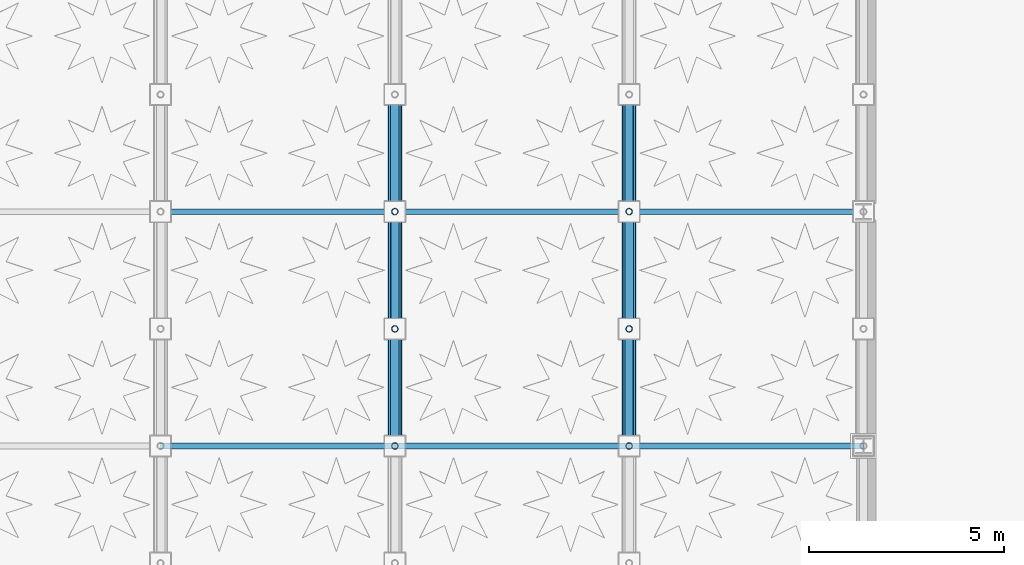
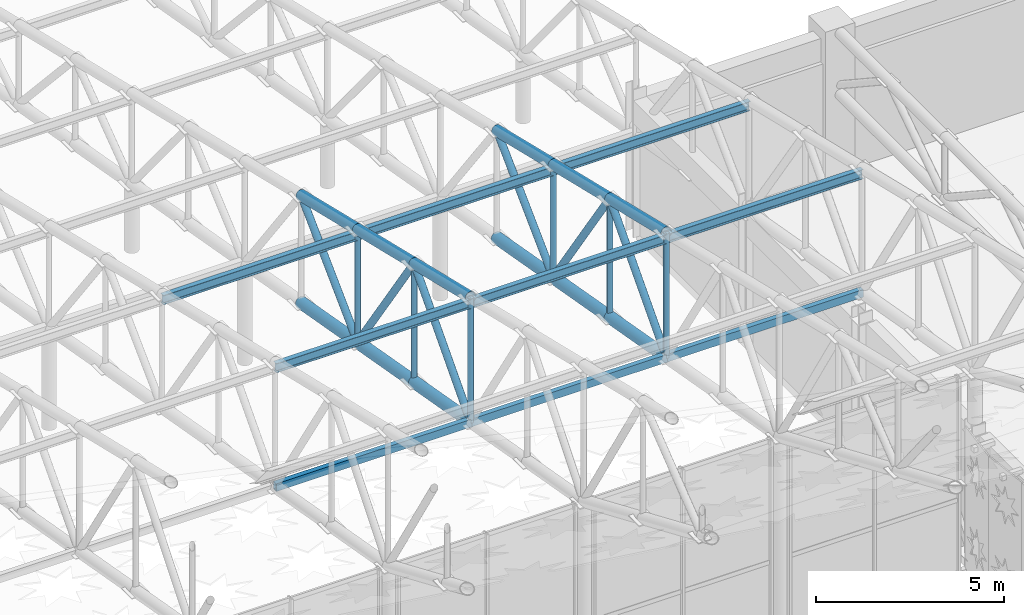
# One storey, part 21 of 123: 27 members, 6 beams.
"""IFC4 building model written with IfcOpenShell, lengths in metres."""

from ifc_helpers import new_model, si_unit, direction, frame, origin, origin_2d, place, context, subcontext, project, spatial, hollow_rectangle, hollow_circle, i_section, extrude, material, material_profile, profile_set, type_object, element, save


model = new_model("IFC4")

# Units and contexts
model_context = context("Model", 3, precision=1e-05, world=origin(), true_north=direction((0.0, 1.0)))
body_context = subcontext(model_context, "Body", "Model", "MODEL_VIEW")
ifc_project = project(units=[si_unit("LENGTHUNIT", "METRE"), si_unit("AREAUNIT", "SQUARE_METRE"), si_unit("VOLUMEUNIT", "CUBIC_METRE"), si_unit("PLANEANGLEUNIT", "RADIAN"), si_unit("MASSUNIT", "GRAM", prefix="KILO"), si_unit("THERMODYNAMICTEMPERATUREUNIT", "KELVIN"), si_unit("POWERUNIT", "WATT")], contexts=[model_context])

# Site, building, storey
site_placement = place(None, origin())
site = spatial("IfcSite", under=ifc_project, at=site_placement, CompositionType="ELEMENT")
building_placement = place(site_placement, origin())
building = spatial("IfcBuilding", under=site, at=building_placement, Name="Phaisarnlok Congress Hotel", CompositionType="ELEMENT")
storey_placement = place(building_placement, frame((0.0, 0.0, 15.0)))
storey = spatial("IfcBuildingStorey", under=building, at=storey_placement, Name="L03", CompositionType="ELEMENT", Elevation=15.0)

# Beams
ifc_material = material(Name="Steel S355", Category="steel")
ifc_material_profile_1 = material_profile(ifc_material, i_section(OverallWidth=0.14990234375, OverallDepth=0.300048828125, WebThickness=0.007080078125, FlangeThickness=0.0107421875, FilletRadius=0.014892578125, at=origin_2d()), Name="IPE 300")
ifc_profile_set_1 = profile_set([ifc_material_profile_1], Name="Steel S355")
beam_type = type_object("IfcBeamType", Name="JS-STL-IPE300", PredefinedType="JOIST", material=ifc_profile_set_1)
for number, where, z_axis, x_axis, name in (
    (1, (78.0, 30.0, 7.766357421875), (1.0, 0.0, 0.0), (0.0, 1.0, 0.0), "South wing roof purlin"),
    (2, (78.0, 24.0, 9.198486328125), (1.0, 0.0, 0.0), (0.0, 1.0, 0.0), "South wing roof purlin"),
    (3, (84.0, 30.0, 7.766357421875), (1.0, 0.0, 0.0), (0.0, 1.0, 0.0), "South wing roof purlin"),
    (4, (84.0, 24.0, 9.198486328125), (1.0, 0.0, 0.0), (0.0, 1.0, 0.0), "South wing roof purlin"),
    (5, (90.0, 30.0, 7.766357421875), (1.0, 0.0, 0.0), (0.0, 1.0, 0.0), "South wing roof purlin"),
    (6, (90.0, 24.0, 9.198486328125), (1.0, 0.0, 0.0), (0.0, 1.0, 0.0), "South wing roof purlin"),
):
    element("IfcBeam", number, at=place(storey_placement, frame(where, z_axis=z_axis, x_axis=x_axis)), inside=storey, type_object=beam_type, Name=name, PredefinedType="JOIST", context=body_context, shape_type="SweptSolid", body=[
        extrude(i_section(OverallWidth=0.14990234375, OverallDepth=0.300048828125, WebThickness=0.007080078125, FlangeThickness=0.0107421875, FilletRadius=0.014892578125, at=origin_2d()), origin(), (0.0, 0.0, 1.0), 6.0),
    ])

# Members
ifc_material_profile_2 = material_profile(ifc_material, hollow_circle(Radius=0.084228515625, WallThickness=0.010009765625, at=origin_2d()), Name="CHS 168.3x10")
ifc_profile_set_2 = profile_set([ifc_material_profile_2], Name="Steel S355")
member_type_1 = type_object("IfcMemberType", Name="MEM-BRC-CHS168", PredefinedType="BRACE", material=ifc_profile_set_2)
member_1_placement = place(storey_placement, frame((84.0, 30.0, 4.2666015625), z_axis=(0.0, 0.0, 1.0), x_axis=(1.0, 0.0, 0.0)))
element("IfcMember", 7, at=member_1_placement, inside=storey, type_object=member_type_1, Name="South wing roof truss vertical web", PredefinedType="BRACE", context=body_context, shape_type="SweptSolid", body=[
    extrude(hollow_circle(Radius=0.084228515625, WallThickness=0.010009765625, at=origin_2d()), origin(), (0.0, 0.0, 1.0), 3.661865234375),
])
member_2_placement = place(storey_placement, frame((84.0, 27.0, 4.800048828125), z_axis=(0.0, 0.0, 1.0), x_axis=(1.0, 0.0, 0.0)))
element("IfcMember", 8, at=member_2_placement, inside=storey, type_object=member_type_1, Name="South wing roof truss vertical web", PredefinedType="BRACE", context=body_context, shape_type="SweptSolid", body=[
    extrude(hollow_circle(Radius=0.084228515625, WallThickness=0.010009765625, at=origin_2d()), origin(), (0.0, 0.0, 1.0), 3.844482421875),
])
member_3_placement = place(storey_placement, frame((84.0, 24.0, 5.333251953125), z_axis=(0.0, 0.0, 1.0), x_axis=(1.0, 0.0, 0.0)))
element("IfcMember", 9, at=member_3_placement, inside=storey, type_object=member_type_1, Name="South wing roof truss vertical web", PredefinedType="BRACE", context=body_context, shape_type="SweptSolid", body=[
    extrude(hollow_circle(Radius=0.084228515625, WallThickness=0.010009765625, at=origin_2d()), origin(), (0.0, 0.0, 1.0), 4.02734375),
])
member_4_placement = place(storey_placement, frame((90.0, 30.0, 4.2666015625), z_axis=(0.0, 0.0, 1.0), x_axis=(1.0, 0.0, 0.0)))
element("IfcMember", 10, at=member_4_placement, inside=storey, type_object=member_type_1, Name="South wing roof truss vertical web", PredefinedType="BRACE", context=body_context, shape_type="SweptSolid", body=[
    extrude(hollow_circle(Radius=0.084228515625, WallThickness=0.010009765625, at=origin_2d()), origin(), (0.0, 0.0, 1.0), 3.661865234375),
])
member_5_placement = place(storey_placement, frame((90.0, 27.0, 4.800048828125), z_axis=(0.0, 0.0, 1.0), x_axis=(1.0, 0.0, 0.0)))
element("IfcMember", 11, at=member_5_placement, inside=storey, type_object=member_type_1, Name="South wing roof truss vertical web", PredefinedType="BRACE", context=body_context, shape_type="SweptSolid", body=[
    extrude(hollow_circle(Radius=0.084228515625, WallThickness=0.010009765625, at=origin_2d()), origin(), (0.0, 0.0, 1.0), 3.844482421875),
])
member_6_placement = place(storey_placement, frame((90.0, 24.0, 5.333251953125), z_axis=(0.0, 0.0, 1.0), x_axis=(1.0, 0.0, 0.0)))
element("IfcMember", 12, at=member_6_placement, inside=storey, type_object=member_type_1, Name="South wing roof truss vertical web", PredefinedType="BRACE", context=body_context, shape_type="SweptSolid", body=[
    extrude(hollow_circle(Radius=0.084228515625, WallThickness=0.010009765625, at=origin_2d()), origin(), (0.0, 0.0, 1.0), 4.02734375),
])
ifc_material_profile_3 = material_profile(ifc_material, hollow_circle(Radius=0.109619140625, WallThickness=0.012451171875, at=origin_2d()), Name="CHS 219.1x12.5")
ifc_profile_set_3 = profile_set([ifc_material_profile_3], Name="Steel S355")
member_type_2 = type_object("IfcMemberType", Name="MEM-BRC-CHS219", PredefinedType="BRACE", material=ifc_profile_set_3)
member_7_placement = place(storey_placement, frame((84.0, 30.0, 4.2666015625), z_axis=(0.0, 0.713522801545, 0.700632008743), x_axis=(-1.0, 0.0, 0.0)))
element("IfcMember", 13, at=member_7_placement, inside=storey, type_object=member_type_2, Name="South wing roof truss diagonal brace", PredefinedType="BRACE", context=body_context, shape_type="SweptSolid", body=[
    extrude(hollow_circle(Radius=0.109619140625, WallThickness=0.012451171875, at=origin_2d()), origin(), (0.0, 0.0, 1.0), 4.20458984375),
])
member_8_placement = place(storey_placement, frame((84.0, 30.0, 4.2666015625), z_axis=(0.0, -0.565270860613, 0.824905360718), x_axis=(1.0, 0.0, 0.0)))
element("IfcMember", 14, at=member_8_placement, inside=storey, type_object=member_type_2, Name="South wing roof truss diagonal brace", PredefinedType="BRACE", context=body_context, shape_type="SweptSolid", body=[
    extrude(hollow_circle(Radius=0.109619140625, WallThickness=0.012451171875, at=origin_2d()), origin(), (0.0, 0.0, 1.0), 5.30712890625),
])
member_9_placement = place(storey_placement, frame((84.0, 24.0, 5.333251953125), z_axis=(0.0, 0.671415353237, 0.741081252926), x_axis=(-1.0, 0.0, 0.0)))
element("IfcMember", 15, at=member_9_placement, inside=storey, type_object=member_type_2, Name="South wing roof truss diagonal brace", PredefinedType="BRACE", context=body_context, shape_type="SweptSolid", body=[
    extrude(hollow_circle(Radius=0.109619140625, WallThickness=0.012451171875, at=origin_2d()), origin(), (0.0, 0.0, 1.0), 4.46826171875),
])
member_10_placement = place(storey_placement, frame((90.0, 30.0, 4.2666015625), z_axis=(0.0, 0.713522801545, 0.700632008743), x_axis=(-1.0, 0.0, 0.0)))
element("IfcMember", 16, at=member_10_placement, inside=storey, type_object=member_type_2, Name="South wing roof truss diagonal brace", PredefinedType="BRACE", context=body_context, shape_type="SweptSolid", body=[
    extrude(hollow_circle(Radius=0.109619140625, WallThickness=0.012451171875, at=origin_2d()), origin(), (0.0, 0.0, 1.0), 4.20458984375),
])
member_11_placement = place(storey_placement, frame((90.0, 30.0, 4.2666015625), z_axis=(0.0, -0.565270860613, 0.824905360718), x_axis=(1.0, 0.0, 0.0)))
element("IfcMember", 17, at=member_11_placement, inside=storey, type_object=member_type_2, Name="South wing roof truss diagonal brace", PredefinedType="BRACE", context=body_context, shape_type="SweptSolid", body=[
    extrude(hollow_circle(Radius=0.109619140625, WallThickness=0.012451171875, at=origin_2d()), origin(), (0.0, 0.0, 1.0), 5.30712890625),
])
member_12_placement = place(storey_placement, frame((90.0, 24.0, 5.333251953125), z_axis=(0.0, 0.671415353237, 0.741081252926), x_axis=(-1.0, 0.0, 0.0)))
element("IfcMember", 18, at=member_12_placement, inside=storey, type_object=member_type_2, Name="South wing roof truss diagonal brace", PredefinedType="BRACE", context=body_context, shape_type="SweptSolid", body=[
    extrude(hollow_circle(Radius=0.109619140625, WallThickness=0.012451171875, at=origin_2d()), origin(), (0.0, 0.0, 1.0), 4.46826171875),
])
ifc_material_profile_4 = material_profile(ifc_material, hollow_circle(Radius=0.161865234375, WallThickness=0.01611328125, at=origin_2d()), Name="CHS 323.9x16")
ifc_profile_set_4 = profile_set([ifc_material_profile_4], Name="Steel S355")
member_type_3 = type_object("IfcMemberType", Name="MEM-CHD-CHS324", PredefinedType="CHORD", material=ifc_profile_set_4)
for number, where, z_axis, x_axis, name in (
    (19, (84.0, 33.0, 7.21240234375), (0.0, -0.972676115692, 0.232166263617), (1.0, 0.0, 0.0), "South wing roof truss top chord"),
    (20, (84.0, 30.0, 7.928466796875), (0.0, -0.972676115692, 0.232166263617), (1.0, 0.0, 0.0), "South wing roof truss top chord"),
    (21, (84.0, 27.0, 8.64453125), (0.0, -0.972676115692, 0.232166263617), (1.0, 0.0, 0.0), "South wing roof truss top chord"),
    (22, (90.0, 33.0, 7.21240234375), (0.0, -0.972676115692, 0.232166263617), (1.0, 0.0, 0.0), "South wing roof truss top chord"),
    (23, (90.0, 30.0, 7.928466796875), (0.0, -0.972676115692, 0.232166263617), (1.0, 0.0, 0.0), "South wing roof truss top chord"),
    (24, (90.0, 27.0, 8.64453125), (0.0, -0.972676115692, 0.232166263617), (1.0, 0.0, 0.0), "South wing roof truss top chord"),
):
    element("IfcMember", number, at=place(storey_placement, frame(where, z_axis=z_axis, x_axis=x_axis)), inside=storey, type_object=member_type_3, Name=name, PredefinedType="CHORD", context=body_context, shape_type="SweptSolid", body=[
        extrude(hollow_circle(Radius=0.161865234375, WallThickness=0.01611328125, at=origin_2d()), origin(), (0.0, 0.0, 1.0), 3.084228515625),
    ])
ifc_material_profile_5 = material_profile(ifc_material, hollow_circle(Radius=0.177734375, WallThickness=0.02001953125, at=origin_2d()), Name="CHS 355.6x20")
ifc_profile_set_5 = profile_set([ifc_material_profile_5], Name="Steel S355")
member_type_4 = type_object("IfcMemberType", Name="MEM-CHD-CHS356", PredefinedType="CHORD", material=ifc_profile_set_5)
for number, where, z_axis, x_axis, name in (
    (25, (84.0, 33.0, 3.7333984375), (0.0, -0.984569871158, 0.174991910694), (1.0, 0.0, 0.0), "South wing roof truss bottom chord"),
    (26, (84.0, 30.0, 4.2666015625), (0.0, -0.984556063496, 0.175069579976), (1.0, 0.0, 0.0), "South wing roof truss bottom chord"),
    (27, (84.0, 27.0, 4.800048828125), (0.0, -0.984569871158, 0.174991910694), (1.0, 0.0, 0.0), "South wing roof truss bottom chord"),
    (28, (90.0, 33.0, 3.7333984375), (0.0, -0.984569871158, 0.174991910694), (1.0, 0.0, 0.0), "South wing roof truss bottom chord"),
    (29, (90.0, 30.0, 4.2666015625), (0.0, -0.984556063496, 0.175069579976), (1.0, 0.0, 0.0), "South wing roof truss bottom chord"),
    (30, (90.0, 27.0, 4.800048828125), (0.0, -0.984569871158, 0.174991910694), (1.0, 0.0, 0.0), "South wing roof truss bottom chord"),
):
    element("IfcMember", number, at=place(storey_placement, frame(where, z_axis=z_axis, x_axis=x_axis)), inside=storey, type_object=member_type_4, Name=name, PredefinedType="CHORD", context=body_context, shape_type="SweptSolid", body=[
        extrude(hollow_circle(Radius=0.177734375, WallThickness=0.02001953125, at=origin_2d()), origin(), (0.0, 0.0, 1.0), 3.047119140625),
    ])
ifc_material_profile_6 = material_profile(ifc_material, hollow_rectangle(XDim=0.14990234375, YDim=0.25, WallThickness=0.010009765625, at=origin_2d()), Name="RHS 250x150x10")
ifc_profile_set_6 = profile_set([ifc_material_profile_6], Name="Steel S355")
member_type_5 = type_object("IfcMemberType", Name="MEM-STR-RHS250", PredefinedType="STRUT", material=ifc_profile_set_6)
for number, where, z_axis, x_axis, name in (
    (31, (78.0, 24.0, 5.333251953125), (1.0, 0.0, 0.0), (0.0, 1.0, 0.0), "Wing truss bottom-chord lateral strut ST-M1"),
    (32, (84.0, 24.0, 5.333251953125), (1.0, 0.0, 0.0), (0.0, 1.0, 0.0), "Wing truss bottom-chord lateral strut ST-M1"),
    (33, (90.0, 24.0, 5.333251953125), (1.0, 0.0, 0.0), (0.0, 1.0, 0.0), "Wing truss bottom-chord lateral strut ST-M1"),
):
    element("IfcMember", number, at=place(storey_placement, frame(where, z_axis=z_axis, x_axis=x_axis)), inside=storey, type_object=member_type_5, Name=name, PredefinedType="STRUT", context=body_context, shape_type="SweptSolid", body=[
        extrude(hollow_rectangle(XDim=0.14990234375, YDim=0.25, WallThickness=0.010009765625, at=origin_2d()), origin(), (0.0, 0.0, 1.0), 6.0),
    ])

save(model, "model.ifc")
